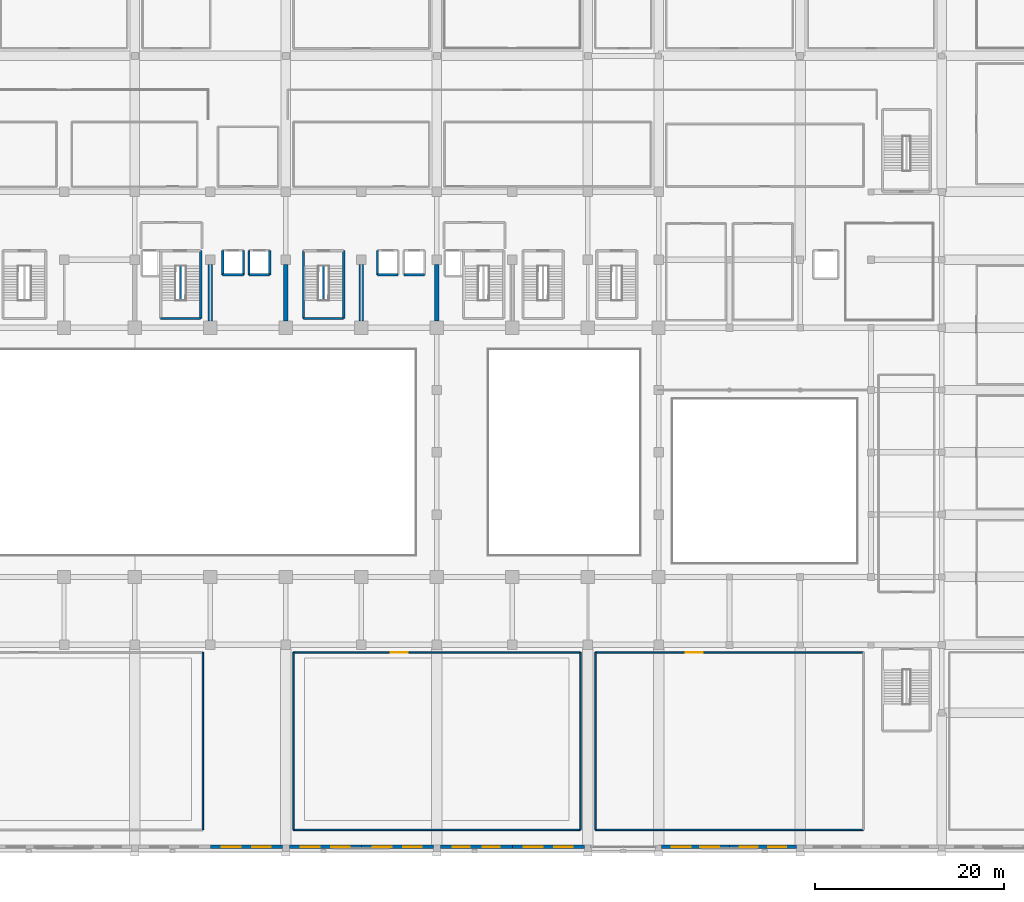
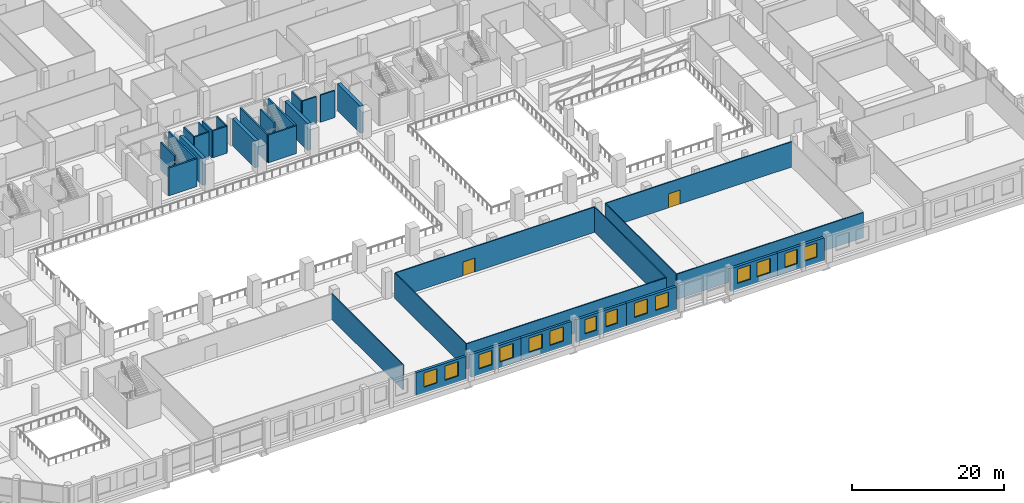
# One storey, part 42 of 64: 35 walls, 14 windows, 2 doors, 16 openings.
"""IFC4 building model written with IfcOpenShell, lengths in metres."""

from ifc_helpers import new_model, si_unit, direction, frame, frame_2d, origin, place, context, subcontext, project, spatial, rectangle, extrude, material, layer, layer_set, type_object, element, fill, save


model = new_model("IFC4")

# Units and contexts
model_context = context("Model", 3, precision=1e-05, world=origin(), true_north=direction((0.0, 1.0)))
body_context = subcontext(model_context, "Body", "Model", "MODEL_VIEW")
ifc_project = project(units=[si_unit("LENGTHUNIT", "METRE"), si_unit("AREAUNIT", "SQUARE_METRE"), si_unit("VOLUMEUNIT", "CUBIC_METRE"), si_unit("PLANEANGLEUNIT", "RADIAN"), si_unit("MASSUNIT", "GRAM", prefix="KILO")], contexts=[model_context])

# Site, building, storey
site_placement = place(None, origin())
site = spatial("IfcSite", under=ifc_project, at=site_placement, CompositionType="ELEMENT")
building_placement = place(site_placement, origin())
building = spatial("IfcBuilding", under=site, at=building_placement, Name="Akrevak Sports Hall", CompositionType="ELEMENT")
storey_placement = place(building_placement, frame((0.0, 0.0, 4.60009765625)))
storey = spatial("IfcBuildingStorey", under=building, at=storey_placement, Name="L01", CompositionType="ELEMENT", Elevation=4.60009765625)

# Wall, openings, windows
ifc_material_1 = material(Name="Limestone Ashlar", Category="stone")
ifc_layer_1 = layer(ifc_material_1, 0.080078125, Name="Limestone Ashlar")
ifc_material_2 = material(Name="Mineral Wool Thermal Insulation", Category="insulation")
ifc_layer_2 = layer(ifc_material_2, 0.10009765625, Name="Mineral Wool Thermal Insulation")
ifc_material_3 = material(Name="Concrete C40/50", Category="concrete")
ifc_layer_3 = layer(ifc_material_3, 0.199951171875, Name="Concrete C40/50")
ifc_layer_set_1 = layer_set([ifc_layer_1, ifc_layer_2, ifc_layer_3], Name="Limestone Ashlar / Mineral Wool Thermal Insulation / Concrete C40/50")
wall_type_1 = type_object("IfcWallType", Name="ARC-WL-EXT-380", PredefinedType="SOLIDWALL", material=ifc_layer_set_1)
wall_1_placement = place(storey_placement, frame((68.0, 0.18994140625, 0.0), z_axis=(0.0, 0.0, 1.0), x_axis=(1.0, 0.0, 0.0)))
wall_1 = element("IfcWall", 1, at=wall_1_placement, inside=storey, type_object=wall_type_1, Name="Exterior Limestone Wall L01-S08", PredefinedType="SOLIDWALL", context=body_context, shape_type="SweptSolid", body=[
    extrude(rectangle(XDim=7.625, YDim=0.3798828125, at=frame_2d((3.8125, 0.0))), origin(), (0.0, 0.0, 1.0), 3.64990234375),
])
opening_1_placement = place(wall_1_placement, frame((1.211181640625, 0.0, 0.919921875)))
opening_1 = element("IfcOpeningElement", 2, at=opening_1_placement, cuts=wall_1, Name="Opening WN-29", PredefinedType="OPENING", context=body_context, shape_type="SweptSolid", body=[
    extrude(rectangle(XDim=2.0, YDim=2.300048828125, at=frame_2d((1.0, 1.14990234375))), frame((0.0, 0.201904296875, 0.0), z_axis=(0.0, -1.0, 0.0), x_axis=(1.0, 0.0, 0.0)), (0.0, 0.0, 1.0), 0.40380859375),
])
opening_2_placement = place(wall_1_placement, frame((4.413818359375, 0.0, 0.919921875)))
opening_2 = element("IfcOpeningElement", 3, at=opening_2_placement, cuts=wall_1, Name="Opening WN-29", PredefinedType="OPENING", context=body_context, shape_type="SweptSolid", body=[
    extrude(rectangle(XDim=2.0, YDim=2.300048828125, at=frame_2d((1.0, 1.14990234375))), frame((0.0, 0.201904296875, 0.0), z_axis=(0.0, -1.0, 0.0), x_axis=(1.0, 0.0, 0.0)), (0.0, 0.0, 1.0), 0.40380859375),
])
ifc_material_4 = material(Name="Thermally Broken Bronze Frame & Double Low-E Glass", Category="glass")
window_type_1 = type_object("IfcWindowType", Name="ARC-WIN-SZ-2000x2300", PartitioningType="SINGLE_PANEL", PredefinedType="WINDOW", material=ifc_material_4)
window_1_placement = place(opening_1_placement, origin())
window_1 = element("IfcWindow", 4, at=window_1_placement, inside=storey, type_object=window_type_1, Name="Beaux-Arts Facade Window WIN-L01-S08-1", OverallHeight=2.300048828125, OverallWidth=2.0, PartitioningType="SINGLE_PANEL", PredefinedType="WINDOW", context=body_context, shape_type="SweptSolid", body=[
    extrude(rectangle(XDim=2.0, YDim=2.300048828125, at=frame_2d((1.0, 1.14990234375))), frame((0.0, 0.030029296875, 0.0), z_axis=(0.0, -1.0, 0.0), x_axis=(1.0, 0.0, 0.0)), (0.0, 0.0, 1.0), 0.06005859375),
])
fill(opening_1, window_1)
window_2_placement = place(opening_2_placement, origin())
window_2 = element("IfcWindow", 5, at=window_2_placement, inside=storey, type_object=window_type_1, Name="Beaux-Arts Facade Window WIN-L01-S08-2", OverallHeight=2.300048828125, OverallWidth=2.0, PartitioningType="SINGLE_PANEL", PredefinedType="WINDOW", context=body_context, shape_type="SweptSolid", body=[
    extrude(rectangle(XDim=2.0, YDim=2.300048828125, at=frame_2d((1.0, 1.14990234375))), frame((0.0, 0.030029296875, 0.0), z_axis=(0.0, -1.0, 0.0), x_axis=(1.0, 0.0, 0.0)), (0.0, 0.0, 1.0), 0.06005859375),
])
fill(opening_2, window_2)

wall_2_placement = place(storey_placement, frame((76.375, 0.18994140625, 0.0), z_axis=(0.0, 0.0, 1.0), x_axis=(1.0, 0.0, 0.0)))
wall_2 = element("IfcWall", 6, at=wall_2_placement, inside=storey, type_object=wall_type_1, Name="Exterior Limestone Wall L01-S09", PredefinedType="SOLIDWALL", context=body_context, shape_type="SweptSolid", body=[
    extrude(rectangle(XDim=7.625, YDim=0.3798828125, at=frame_2d((3.8125, 0.0))), origin(), (0.0, 0.0, 1.0), 3.64990234375),
])
opening_3_placement = place(wall_2_placement, frame((1.211181640625, 0.0, 0.919921875)))
opening_3 = element("IfcOpeningElement", 7, at=opening_3_placement, cuts=wall_2, Name="Opening WN-29", PredefinedType="OPENING", context=body_context, shape_type="SweptSolid", body=[
    extrude(rectangle(XDim=2.0, YDim=2.300048828125, at=frame_2d((1.0, 1.14990234375))), frame((0.0, 0.201904296875, 0.0), z_axis=(0.0, -1.0, 0.0), x_axis=(1.0, 0.0, 0.0)), (0.0, 0.0, 1.0), 0.40380859375),
])
opening_4_placement = place(wall_2_placement, frame((4.413818359375, 0.0, 0.919921875)))
opening_4 = element("IfcOpeningElement", 8, at=opening_4_placement, cuts=wall_2, Name="Opening WN-29", PredefinedType="OPENING", context=body_context, shape_type="SweptSolid", body=[
    extrude(rectangle(XDim=2.0, YDim=2.300048828125, at=frame_2d((1.0, 1.14990234375))), frame((0.0, 0.201904296875, 0.0), z_axis=(0.0, -1.0, 0.0), x_axis=(1.0, 0.0, 0.0)), (0.0, 0.0, 1.0), 0.40380859375),
])
window_3_placement = place(opening_3_placement, origin())
window_3 = element("IfcWindow", 9, at=window_3_placement, inside=storey, type_object=window_type_1, Name="Beaux-Arts Facade Window WIN-L01-S09-1", OverallHeight=2.300048828125, OverallWidth=2.0, PartitioningType="SINGLE_PANEL", PredefinedType="WINDOW", context=body_context, shape_type="SweptSolid", body=[
    extrude(rectangle(XDim=2.0, YDim=2.300048828125, at=frame_2d((1.0, 1.14990234375))), frame((0.0, 0.030029296875, 0.0), z_axis=(0.0, -1.0, 0.0), x_axis=(1.0, 0.0, 0.0)), (0.0, 0.0, 1.0), 0.06005859375),
])
fill(opening_3, window_3)
window_4_placement = place(opening_4_placement, origin())
window_4 = element("IfcWindow", 10, at=window_4_placement, inside=storey, type_object=window_type_1, Name="Beaux-Arts Facade Window WIN-L01-S09-2", OverallHeight=2.300048828125, OverallWidth=2.0, PartitioningType="SINGLE_PANEL", PredefinedType="WINDOW", context=body_context, shape_type="SweptSolid", body=[
    extrude(rectangle(XDim=2.0, YDim=2.300048828125, at=frame_2d((1.0, 1.14990234375))), frame((0.0, 0.030029296875, 0.0), z_axis=(0.0, -1.0, 0.0), x_axis=(1.0, 0.0, 0.0)), (0.0, 0.0, 1.0), 0.06005859375),
])
fill(opening_4, window_4)

wall_3_placement = place(storey_placement, frame((84.0, 0.18994140625, 0.0), z_axis=(0.0, 0.0, 1.0), x_axis=(1.0, 0.0, 0.0)))
wall_3 = element("IfcWall", 11, at=wall_3_placement, inside=storey, type_object=wall_type_1, Name="Exterior Limestone Wall L01-S10", PredefinedType="SOLIDWALL", context=body_context, shape_type="SweptSolid", body=[
    extrude(rectangle(XDim=7.625, YDim=0.3798828125, at=frame_2d((3.8125, 0.0))), origin(), (0.0, 0.0, 1.0), 3.64990234375),
])
opening_5_placement = place(wall_3_placement, frame((1.211181640625, 0.0, 0.919921875)))
opening_5 = element("IfcOpeningElement", 12, at=opening_5_placement, cuts=wall_3, Name="Opening WN-29", PredefinedType="OPENING", context=body_context, shape_type="SweptSolid", body=[
    extrude(rectangle(XDim=2.0, YDim=2.300048828125, at=frame_2d((1.0, 1.14990234375))), frame((0.0, 0.201904296875, 0.0), z_axis=(0.0, -1.0, 0.0), x_axis=(1.0, 0.0, 0.0)), (0.0, 0.0, 1.0), 0.40380859375),
])
opening_6_placement = place(wall_3_placement, frame((4.413818359375, 0.0, 0.919921875)))
opening_6 = element("IfcOpeningElement", 13, at=opening_6_placement, cuts=wall_3, Name="Opening WN-29", PredefinedType="OPENING", context=body_context, shape_type="SweptSolid", body=[
    extrude(rectangle(XDim=2.0, YDim=2.300048828125, at=frame_2d((1.0, 1.14990234375))), frame((0.0, 0.201904296875, 0.0), z_axis=(0.0, -1.0, 0.0), x_axis=(1.0, 0.0, 0.0)), (0.0, 0.0, 1.0), 0.40380859375),
])
window_5_placement = place(opening_5_placement, origin())
window_5 = element("IfcWindow", 14, at=window_5_placement, inside=storey, type_object=window_type_1, Name="Beaux-Arts Facade Window WIN-L01-S10-1", OverallHeight=2.300048828125, OverallWidth=2.0, PartitioningType="SINGLE_PANEL", PredefinedType="WINDOW", context=body_context, shape_type="SweptSolid", body=[
    extrude(rectangle(XDim=2.0, YDim=2.300048828125, at=frame_2d((1.0, 1.14990234375))), frame((0.0, 0.030029296875, 0.0), z_axis=(0.0, -1.0, 0.0), x_axis=(1.0, 0.0, 0.0)), (0.0, 0.0, 1.0), 0.06005859375),
])
fill(opening_5, window_5)
window_6_placement = place(opening_6_placement, origin())
window_6 = element("IfcWindow", 15, at=window_6_placement, inside=storey, type_object=window_type_1, Name="Beaux-Arts Facade Window WIN-L01-S10-2", OverallHeight=2.300048828125, OverallWidth=2.0, PartitioningType="SINGLE_PANEL", PredefinedType="WINDOW", context=body_context, shape_type="SweptSolid", body=[
    extrude(rectangle(XDim=2.0, YDim=2.300048828125, at=frame_2d((1.0, 1.14990234375))), frame((0.0, 0.030029296875, 0.0), z_axis=(0.0, -1.0, 0.0), x_axis=(1.0, 0.0, 0.0)), (0.0, 0.0, 1.0), 0.06005859375),
])
fill(opening_6, window_6)

wall_4_placement = place(storey_placement, frame((92.375, 0.18994140625, 0.0), z_axis=(0.0, 0.0, 1.0), x_axis=(1.0, 0.0, 0.0)))
wall_4 = element("IfcWall", 16, at=wall_4_placement, inside=storey, type_object=wall_type_1, Name="Exterior Limestone Wall L01-S11", PredefinedType="SOLIDWALL", context=body_context, shape_type="SweptSolid", body=[
    extrude(rectangle(XDim=7.625, YDim=0.3798828125, at=frame_2d((3.8125, 0.0))), origin(), (0.0, 0.0, 1.0), 3.64990234375),
])
opening_7_placement = place(wall_4_placement, frame((1.311279296875, 0.0, 0.919921875)))
opening_7 = element("IfcOpeningElement", 17, at=opening_7_placement, cuts=wall_4, Name="Opening WN-31", PredefinedType="OPENING", context=body_context, shape_type="SweptSolid", body=[
    extrude(rectangle(XDim=1.800048828125, YDim=2.300048828125, at=frame_2d((0.89990234375, 1.14990234375))), frame((0.0, 0.201904296875, 0.0), z_axis=(0.0, -1.0, 0.0), x_axis=(1.0, 0.0, 0.0)), (0.0, 0.0, 1.0), 0.40380859375),
])
opening_8_placement = place(wall_4_placement, frame((4.513671875, 0.0, 0.919921875)))
opening_8 = element("IfcOpeningElement", 18, at=opening_8_placement, cuts=wall_4, Name="Opening WN-31", PredefinedType="OPENING", context=body_context, shape_type="SweptSolid", body=[
    extrude(rectangle(XDim=1.800048828125, YDim=2.300048828125, at=frame_2d((0.89990234375, 1.14990234375))), frame((0.0, 0.201904296875, 0.0), z_axis=(0.0, -1.0, 0.0), x_axis=(1.0, 0.0, 0.0)), (0.0, 0.0, 1.0), 0.40380859375),
])
window_type_2 = type_object("IfcWindowType", Name="ARC-WIN-SZ-1800x2300", PartitioningType="SINGLE_PANEL", PredefinedType="WINDOW", material=ifc_material_4)
window_7_placement = place(opening_7_placement, origin())
window_7 = element("IfcWindow", 19, at=window_7_placement, inside=storey, type_object=window_type_2, Name="Beaux-Arts Facade Window WIN-L01-S11-1", OverallHeight=2.300048828125, OverallWidth=1.800048828125, PartitioningType="SINGLE_PANEL", PredefinedType="WINDOW", context=body_context, shape_type="SweptSolid", body=[
    extrude(rectangle(XDim=1.800048828125, YDim=2.300048828125, at=frame_2d((0.89990234375, 1.14990234375))), frame((0.0, 0.030029296875, 0.0), z_axis=(0.0, -1.0, 0.0), x_axis=(1.0, 0.0, 0.0)), (0.0, 0.0, 1.0), 0.06005859375),
])
fill(opening_7, window_7)
window_8_placement = place(opening_8_placement, origin())
window_8 = element("IfcWindow", 20, at=window_8_placement, inside=storey, type_object=window_type_2, Name="Beaux-Arts Facade Window WIN-L01-S11-2", OverallHeight=2.300048828125, OverallWidth=1.800048828125, PartitioningType="SINGLE_PANEL", PredefinedType="WINDOW", context=body_context, shape_type="SweptSolid", body=[
    extrude(rectangle(XDim=1.800048828125, YDim=2.300048828125, at=frame_2d((0.89990234375, 1.14990234375))), frame((0.0, 0.030029296875, 0.0), z_axis=(0.0, -1.0, 0.0), x_axis=(1.0, 0.0, 0.0)), (0.0, 0.0, 1.0), 0.06005859375),
])
fill(opening_8, window_8)

wall_5_placement = place(storey_placement, frame((100.0, 0.18994140625, 0.0), z_axis=(0.0, 0.0, 1.0), x_axis=(1.0, 0.0, 0.0)))
wall_5 = element("IfcWall", 21, at=wall_5_placement, inside=storey, type_object=wall_type_1, Name="Exterior Limestone Wall L01-S12", PredefinedType="SOLIDWALL", context=body_context, shape_type="SweptSolid", body=[
    extrude(rectangle(XDim=7.625, YDim=0.3798828125, at=frame_2d((3.8125, 0.0))), origin(), (0.0, 0.0, 1.0), 3.64990234375),
])
opening_9_placement = place(wall_5_placement, frame((1.211181640625, 0.0, 0.919921875)))
opening_9 = element("IfcOpeningElement", 22, at=opening_9_placement, cuts=wall_5, Name="Opening WN-29", PredefinedType="OPENING", context=body_context, shape_type="SweptSolid", body=[
    extrude(rectangle(XDim=2.0, YDim=2.300048828125, at=frame_2d((1.0, 1.14990234375))), frame((0.0, 0.201904296875, 0.0), z_axis=(0.0, -1.0, 0.0), x_axis=(1.0, 0.0, 0.0)), (0.0, 0.0, 1.0), 0.40380859375),
])
opening_10_placement = place(wall_5_placement, frame((4.413818359375, 0.0, 0.919921875)))
opening_10 = element("IfcOpeningElement", 23, at=opening_10_placement, cuts=wall_5, Name="Opening WN-29", PredefinedType="OPENING", context=body_context, shape_type="SweptSolid", body=[
    extrude(rectangle(XDim=2.0, YDim=2.300048828125, at=frame_2d((1.0, 1.14990234375))), frame((0.0, 0.201904296875, 0.0), z_axis=(0.0, -1.0, 0.0), x_axis=(1.0, 0.0, 0.0)), (0.0, 0.0, 1.0), 0.40380859375),
])
window_9_placement = place(opening_9_placement, origin())
window_9 = element("IfcWindow", 24, at=window_9_placement, inside=storey, type_object=window_type_1, Name="Beaux-Arts Facade Window WIN-L01-S12-1", OverallHeight=2.300048828125, OverallWidth=2.0, PartitioningType="SINGLE_PANEL", PredefinedType="WINDOW", context=body_context, shape_type="SweptSolid", body=[
    extrude(rectangle(XDim=2.0, YDim=2.300048828125, at=frame_2d((1.0, 1.14990234375))), frame((0.0, 0.030029296875, 0.0), z_axis=(0.0, -1.0, 0.0), x_axis=(1.0, 0.0, 0.0)), (0.0, 0.0, 1.0), 0.06005859375),
])
fill(opening_9, window_9)
window_10_placement = place(opening_10_placement, origin())
window_10 = element("IfcWindow", 25, at=window_10_placement, inside=storey, type_object=window_type_1, Name="Beaux-Arts Facade Window WIN-L01-S12-2", OverallHeight=2.300048828125, OverallWidth=2.0, PartitioningType="SINGLE_PANEL", PredefinedType="WINDOW", context=body_context, shape_type="SweptSolid", body=[
    extrude(rectangle(XDim=2.0, YDim=2.300048828125, at=frame_2d((1.0, 1.14990234375))), frame((0.0, 0.030029296875, 0.0), z_axis=(0.0, -1.0, 0.0), x_axis=(1.0, 0.0, 0.0)), (0.0, 0.0, 1.0), 0.06005859375),
])
fill(opening_10, window_10)

wall_6_placement = place(storey_placement, frame((115.824951171875, 0.18994140625, 0.0), z_axis=(0.0, 0.0, 1.0), x_axis=(1.0, 0.0, 0.0)))
wall_6 = element("IfcWall", 26, at=wall_6_placement, inside=storey, type_object=wall_type_1, Name="Exterior Limestone Wall L01-S14", PredefinedType="SOLIDWALL", context=body_context, shape_type="SweptSolid", body=[
    extrude(rectangle(XDim=7.175048828125, YDim=0.3798828125, at=frame_2d((3.58740234375, 0.0))), origin(), (0.0, 0.0, 1.0), 3.64990234375),
])
opening_11_placement = place(wall_6_placement, frame((1.080810546875, 0.0, 0.919921875)))
opening_11 = element("IfcOpeningElement", 27, at=opening_11_placement, cuts=wall_6, Name="Opening WN-29", PredefinedType="OPENING", context=body_context, shape_type="SweptSolid", body=[
    extrude(rectangle(XDim=2.0, YDim=2.300048828125, at=frame_2d((1.0, 1.14990234375))), frame((0.0, 0.201904296875, 0.0), z_axis=(0.0, -1.0, 0.0), x_axis=(1.0, 0.0, 0.0)), (0.0, 0.0, 1.0), 0.40380859375),
])
opening_12_placement = place(wall_6_placement, frame((4.09423828125, 0.0, 0.919921875)))
opening_12 = element("IfcOpeningElement", 28, at=opening_12_placement, cuts=wall_6, Name="Opening WN-29", PredefinedType="OPENING", context=body_context, shape_type="SweptSolid", body=[
    extrude(rectangle(XDim=2.0, YDim=2.300048828125, at=frame_2d((1.0, 1.14990234375))), frame((0.0, 0.201904296875, 0.0), z_axis=(0.0, -1.0, 0.0), x_axis=(1.0, 0.0, 0.0)), (0.0, 0.0, 1.0), 0.40380859375),
])
window_11_placement = place(opening_11_placement, origin())
window_11 = element("IfcWindow", 29, at=window_11_placement, inside=storey, type_object=window_type_1, Name="Beaux-Arts Facade Window WIN-L01-S14-1", OverallHeight=2.300048828125, OverallWidth=2.0, PartitioningType="SINGLE_PANEL", PredefinedType="WINDOW", context=body_context, shape_type="SweptSolid", body=[
    extrude(rectangle(XDim=2.0, YDim=2.300048828125, at=frame_2d((1.0, 1.14990234375))), frame((0.0, 0.030029296875, 0.0), z_axis=(0.0, -1.0, 0.0), x_axis=(1.0, 0.0, 0.0)), (0.0, 0.0, 1.0), 0.06005859375),
])
fill(opening_11, window_11)
window_12_placement = place(opening_12_placement, origin())
window_12 = element("IfcWindow", 30, at=window_12_placement, inside=storey, type_object=window_type_1, Name="Beaux-Arts Facade Window WIN-L01-S14-2", OverallHeight=2.300048828125, OverallWidth=2.0, PartitioningType="SINGLE_PANEL", PredefinedType="WINDOW", context=body_context, shape_type="SweptSolid", body=[
    extrude(rectangle(XDim=2.0, YDim=2.300048828125, at=frame_2d((1.0, 1.14990234375))), frame((0.0, 0.030029296875, 0.0), z_axis=(0.0, -1.0, 0.0), x_axis=(1.0, 0.0, 0.0)), (0.0, 0.0, 1.0), 0.06005859375),
])
fill(opening_12, window_12)

wall_7_placement = place(storey_placement, frame((123.0, 0.18994140625, 0.0), z_axis=(0.0, 0.0, 1.0), x_axis=(1.0, 0.0, 0.0)))
wall_7 = element("IfcWall", 31, at=wall_7_placement, inside=storey, type_object=wall_type_1, Name="Exterior Limestone Wall L01-S15", PredefinedType="SOLIDWALL", context=body_context, shape_type="SweptSolid", body=[
    extrude(rectangle(XDim=7.125, YDim=0.3798828125, at=frame_2d((3.5625, 0.0))), origin(), (0.0, 0.0, 1.0), 3.64990234375),
])
opening_13_placement = place(wall_7_placement, frame((1.1162109375, 0.0, 0.919921875)))
opening_13 = element("IfcOpeningElement", 32, at=opening_13_placement, cuts=wall_7, Name="Opening WN-30", PredefinedType="OPENING", context=body_context, shape_type="SweptSolid", body=[
    extrude(rectangle(XDim=1.89990234375, YDim=2.300048828125, at=frame_2d((0.949951171875, 1.14990234375))), frame((0.0, 0.201904296875, 0.0), z_axis=(0.0, -1.0, 0.0), x_axis=(1.0, 0.0, 0.0)), (0.0, 0.0, 1.0), 0.40380859375),
])
opening_14_placement = place(wall_7_placement, frame((4.10888671875, 0.0, 0.919921875)))
opening_14 = element("IfcOpeningElement", 33, at=opening_14_placement, cuts=wall_7, Name="Opening WN-30", PredefinedType="OPENING", context=body_context, shape_type="SweptSolid", body=[
    extrude(rectangle(XDim=1.89990234375, YDim=2.300048828125, at=frame_2d((0.949951171875, 1.14990234375))), frame((0.0, 0.201904296875, 0.0), z_axis=(0.0, -1.0, 0.0), x_axis=(1.0, 0.0, 0.0)), (0.0, 0.0, 1.0), 0.40380859375),
])
window_type_3 = type_object("IfcWindowType", Name="ARC-WIN-SZ-1900x2300", PartitioningType="SINGLE_PANEL", PredefinedType="WINDOW", material=ifc_material_4)
window_13_placement = place(opening_13_placement, origin())
window_13 = element("IfcWindow", 34, at=window_13_placement, inside=storey, type_object=window_type_3, Name="Beaux-Arts Facade Window WIN-L01-S15-1", OverallHeight=2.300048828125, OverallWidth=1.89990234375, PartitioningType="SINGLE_PANEL", PredefinedType="WINDOW", context=body_context, shape_type="SweptSolid", body=[
    extrude(rectangle(XDim=1.89990234375, YDim=2.300048828125, at=frame_2d((0.949951171875, 1.14990234375))), frame((0.0, 0.030029296875, 0.0), z_axis=(0.0, -1.0, 0.0), x_axis=(1.0, 0.0, 0.0)), (0.0, 0.0, 1.0), 0.06005859375),
])
fill(opening_13, window_13)
window_14_placement = place(opening_14_placement, origin())
window_14 = element("IfcWindow", 35, at=window_14_placement, inside=storey, type_object=window_type_3, Name="Beaux-Arts Facade Window WIN-L01-S15-2", OverallHeight=2.300048828125, OverallWidth=1.89990234375, PartitioningType="SINGLE_PANEL", PredefinedType="WINDOW", context=body_context, shape_type="SweptSolid", body=[
    extrude(rectangle(XDim=1.89990234375, YDim=2.300048828125, at=frame_2d((0.949951171875, 1.14990234375))), frame((0.0, 0.030029296875, 0.0), z_axis=(0.0, -1.0, 0.0), x_axis=(1.0, 0.0, 0.0)), (0.0, 0.0, 1.0), 0.06005859375),
])
fill(opening_14, window_14)

# Walls
ifc_material_5 = material(Name="Double Stud Acoustic Gypsum Partition", Category="gypsum")
ifc_layer_4 = layer(ifc_material_5, 0.14990234375, Name="Double Stud Acoustic Gypsum Partition")
ifc_layer_set_2 = layer_set([ifc_layer_4], Name="Double Stud Acoustic Gypsum Partition")
wall_type_2 = type_object("IfcWallType", Name="ARC-WL-PRT-150", PredefinedType="PARTITIONING", material=ifc_layer_set_2)
wall_8_placement = place(storey_placement, frame((67.199951171875, 2.0, 0.0), z_axis=(0.0, 0.0, 1.0), x_axis=(0.0, 1.0, 0.0)))
element("IfcWall", 36, at=wall_8_placement, inside=storey, type_object=wall_type_2, Name="Interior Partition Fitness Studio 1 - Strength & Free Weights (E)", PredefinedType="PARTITIONING", context=body_context, shape_type="SweptSolid", body=[
    extrude(rectangle(XDim=18.800048828125, YDim=0.14990234375, at=frame_2d((9.39990234375, 0.0))), origin(), (0.0, 0.0, 1.0), 4.079833984375),
])
wall_9_placement = place(storey_placement, frame((76.800048828125, 2.0, 0.0), z_axis=(0.0, 0.0, 1.0), x_axis=(1.0, 0.0, 0.0)))
element("IfcWall", 37, at=wall_9_placement, inside=storey, type_object=wall_type_2, Name="Interior Partition Fitness Studio 2 - Cardio & Rowing (S)", PredefinedType="PARTITIONING", context=body_context, shape_type="SweptSolid", body=[
    extrude(rectangle(XDim=30.39990234375, YDim=0.14990234375, at=frame_2d((15.199951171875, 0.0))), origin(), (0.0, 0.0, 1.0), 4.079833984375),
])

# Wall, opening, door
wall_10_placement = place(storey_placement, frame((76.800048828125, 20.800048828125, 0.0), z_axis=(0.0, 0.0, 1.0), x_axis=(1.0, 0.0, 0.0)))
wall_10 = element("IfcWall", 38, at=wall_10_placement, inside=storey, type_object=wall_type_2, Name="Interior Partition Fitness Studio 2 - Cardio & Rowing (N)", PredefinedType="PARTITIONING", context=body_context, shape_type="SweptSolid", body=[
    extrude(rectangle(XDim=30.39990234375, YDim=0.14990234375, at=frame_2d((15.199951171875, 0.0))), origin(), (0.0, 0.0, 1.0), 4.079833984375),
])
opening_15_placement = place(wall_10_placement, frame((10.300048828125, 0.0, 0.0)))
opening_15 = element("IfcOpeningElement", 39, at=opening_15_placement, cuts=wall_10, Name="Opening ID-02", PredefinedType="OPENING", context=body_context, shape_type="SweptSolid", body=[
    extrude(rectangle(XDim=1.800048828125, YDim=2.25, at=frame_2d((0.89990234375, 1.125))), frame((0.0, 0.0869140625, 0.0), z_axis=(0.0, -1.0, 0.0), x_axis=(1.0, 0.0, 0.0)), (0.0, 0.0, 1.0), 0.173828125),
])
ifc_material_6 = material(Name="Hardwood Oak & Safety Glass", Category="wood")
door_type = type_object("IfcDoorType", Name="ARC-DR-HALL-180x225", OperationType="DOUBLE_DOOR_SINGLE_SWING", PredefinedType="DOOR", material=ifc_material_6)
door_1_placement = place(opening_15_placement, origin())
door_1 = element("IfcDoor", 40, at=door_1_placement, inside=storey, type_object=door_type, Name="Door to Fitness Studio 2 - Cardio & Rowing", OperationType="DOUBLE_DOOR_SINGLE_SWING", OverallHeight=2.25, OverallWidth=1.800048828125, PredefinedType="DOOR", context=body_context, shape_type="SweptSolid", body=[
    extrude(rectangle(XDim=1.800048828125, YDim=2.25, at=frame_2d((0.89990234375, 1.125))), frame((0.0, 0.02490234375, 0.0), z_axis=(0.0, -1.0, 0.0), x_axis=(1.0, 0.0, 0.0)), (0.0, 0.0, 1.0), 0.050048828125),
])
fill(opening_15, door_1)

# Walls
for number, where, z_axis, x_axis, name in (
    (41, (76.800048828125, 2.0, 0.0), (0.0, 0.0, 1.0), (0.0, 1.0, 0.0), "Interior Partition Fitness Studio 2 - Cardio & Rowing (W)"),
    (42, (107.199951171875, 2.0, 0.0), (0.0, 0.0, 1.0), (0.0, 1.0, 0.0), "Interior Partition Fitness Studio 2 - Cardio & Rowing (E)"),
):
    element("IfcWall", number, at=place(storey_placement, frame(where, z_axis=z_axis, x_axis=x_axis)), inside=storey, type_object=wall_type_2, Name=name, PredefinedType="PARTITIONING", context=body_context, shape_type="SweptSolid", body=[
        extrude(rectangle(XDim=18.800048828125, YDim=0.14990234375, at=frame_2d((9.39990234375, 0.0))), origin(), (0.0, 0.0, 1.0), 4.079833984375),
    ])
wall_11_placement = place(storey_placement, frame((108.800048828125, 2.0, 0.0), z_axis=(0.0, 0.0, 1.0), x_axis=(1.0, 0.0, 0.0)))
element("IfcWall", 43, at=wall_11_placement, inside=storey, type_object=wall_type_2, Name="Interior Partition Fitness Studio 3 - Functional Training (S)", PredefinedType="PARTITIONING", context=body_context, shape_type="SweptSolid", body=[
    extrude(rectangle(XDim=28.39990234375, YDim=0.14990234375, at=frame_2d((14.199951171875, 0.0))), origin(), (0.0, 0.0, 1.0), 4.079833984375),
])

# Wall, opening, door
wall_12_placement = place(storey_placement, frame((108.800048828125, 20.800048828125, 0.0), z_axis=(0.0, 0.0, 1.0), x_axis=(1.0, 0.0, 0.0)))
wall_12 = element("IfcWall", 44, at=wall_12_placement, inside=storey, type_object=wall_type_2, Name="Interior Partition Fitness Studio 3 - Functional Training (N)", PredefinedType="PARTITIONING", context=body_context, shape_type="SweptSolid", body=[
    extrude(rectangle(XDim=28.39990234375, YDim=0.14990234375, at=frame_2d((14.199951171875, 0.0))), origin(), (0.0, 0.0, 1.0), 4.079833984375),
])
opening_16_placement = place(wall_12_placement, frame((9.550048828125, 0.0, 0.0)))
opening_16 = element("IfcOpeningElement", 45, at=opening_16_placement, cuts=wall_12, Name="Opening ID-02", PredefinedType="OPENING", context=body_context, shape_type="SweptSolid", body=[
    extrude(rectangle(XDim=1.800048828125, YDim=2.25, at=frame_2d((0.89990234375, 1.125))), frame((0.0, 0.0869140625, 0.0), z_axis=(0.0, -1.0, 0.0), x_axis=(1.0, 0.0, 0.0)), (0.0, 0.0, 1.0), 0.173828125),
])
door_2_placement = place(opening_16_placement, origin())
door_2 = element("IfcDoor", 46, at=door_2_placement, inside=storey, type_object=door_type, Name="Door to Fitness Studio 3 - Functional Training", OperationType="DOUBLE_DOOR_SINGLE_SWING", OverallHeight=2.25, OverallWidth=1.800048828125, PredefinedType="DOOR", context=body_context, shape_type="SweptSolid", body=[
    extrude(rectangle(XDim=1.800048828125, YDim=2.25, at=frame_2d((0.89990234375, 1.125))), frame((0.0, 0.02490234375, 0.0), z_axis=(0.0, -1.0, 0.0), x_axis=(1.0, 0.0, 0.0)), (0.0, 0.0, 1.0), 0.050048828125),
])
fill(opening_16, door_2)

# Walls
wall_13_placement = place(storey_placement, frame((108.800048828125, 2.0, 0.0), z_axis=(0.0, 0.0, 1.0), x_axis=(0.0, 1.0, 0.0)))
element("IfcWall", 47, at=wall_13_placement, inside=storey, type_object=wall_type_2, Name="Interior Partition Fitness Studio 3 - Functional Training (W)", PredefinedType="PARTITIONING", context=body_context, shape_type="SweptSolid", body=[
    extrude(rectangle(XDim=18.800048828125, YDim=0.14990234375, at=frame_2d((9.39990234375, 0.0))), origin(), (0.0, 0.0, 1.0), 4.079833984375),
])
ifc_layer_5 = layer(ifc_material_3, 0.219970703125, Name="Concrete C40/50")
ifc_layer_set_3 = layer_set([ifc_layer_5], Name="Concrete C40/50")
wall_type_3 = type_object("IfcWallType", Name="ARC-WL-PRT-220", PredefinedType="PARTITIONING", material=ifc_layer_set_3)
for number, where, z_axis, x_axis, name in (
    (48, (64.85009765625, 58.094970703125, 0.0), (0.0, 0.0, 1.0), (0.0, 1.0, 0.0), "Stair ST1 Central Spine Wall (L01)"),
    (49, (80.0, 58.094970703125, 0.0), (0.0, 0.0, 1.0), (0.0, 1.0, 0.0), "Stair ST3 Central Spine Wall (L01)"),
):
    element("IfcWall", number, at=place(storey_placement, frame(where, z_axis=z_axis, x_axis=x_axis)), inside=storey, type_object=wall_type_3, Name=name, PredefinedType="PARTITIONING", context=body_context, shape_type="SweptSolid", body=[
        extrude(rectangle(XDim=3.64013671875, YDim=0.219970703125, at=frame_2d((1.820068359375, 0.0))), origin(), (0.0, 0.0, 1.0), 4.47998046875),
    ])
ifc_material_7 = material(Name="Concrete C50/60", Category="concrete")
ifc_layer_6 = layer(ifc_material_7, 0.219970703125, Name="Concrete C50/60")
ifc_layer_set_4 = layer_set([ifc_layer_6], Name="Concrete C50/60")
wall_type_4 = type_object("IfcWallType", Name="ARC-WL-SHAFT-220", PredefinedType="SHEAR", material=ifc_layer_set_4)
wall_14_placement = place(storey_placement, frame((69.31005859375, 60.81005859375, 0.0), z_axis=(0.0, 0.0, 1.0), x_axis=(1.0, 0.0, 0.0)))
element("IfcWall", 50, at=wall_14_placement, inside=storey, type_object=wall_type_4, Name="Lift Shaft LF-P1 Wall S (L01)", PredefinedType="SHEAR", context=body_context, shape_type="SweptSolid", body=[
    extrude(rectangle(XDim=2.179931640625, YDim=0.219970703125, at=frame_2d((1.08984375, 0.0))), origin(), (0.0, 0.0, 1.0), 4.349853515625),
])
for number, where, z_axis, x_axis, name in (
    (51, (69.31005859375, 63.389892578125, 0.0), (0.0, 0.0, 1.0), (0.0, -1.0, 0.0), "Lift Shaft LF-P1 Wall W (L01)"),
    (52, (71.489990234375, 60.81005859375, 0.0), (0.0, 0.0, 1.0), (0.0, 1.0, 0.0), "Lift Shaft LF-P1 Wall E (L01)"),
):
    element("IfcWall", number, at=place(storey_placement, frame(where, z_axis=z_axis, x_axis=x_axis)), inside=storey, type_object=wall_type_4, Name=name, PredefinedType="SHEAR", context=body_context, shape_type="SweptSolid", body=[
        extrude(rectangle(XDim=2.579833984375, YDim=0.219970703125, at=frame_2d((1.2900390625, 0.0))), origin(), (0.0, 0.0, 1.0), 4.349853515625),
    ])
wall_15_placement = place(storey_placement, frame((72.110107421875, 60.81005859375, 0.0), z_axis=(0.0, 0.0, 1.0), x_axis=(1.0, 0.0, 0.0)))
element("IfcWall", 53, at=wall_15_placement, inside=storey, type_object=wall_type_4, Name="Lift Shaft LF-P2 Wall S (L01)", PredefinedType="SHEAR", context=body_context, shape_type="SweptSolid", body=[
    extrude(rectangle(XDim=2.179931640625, YDim=0.219970703125, at=frame_2d((1.08984375, 0.0))), origin(), (0.0, 0.0, 1.0), 4.349853515625),
])
for number, where, z_axis, x_axis, name in (
    (54, (72.110107421875, 63.389892578125, 0.0), (0.0, 0.0, 1.0), (0.0, -1.0, 0.0), "Lift Shaft LF-P2 Wall W (L01)"),
    (55, (74.2900390625, 60.81005859375, 0.0), (0.0, 0.0, 1.0), (0.0, 1.0, 0.0), "Lift Shaft LF-P2 Wall E (L01)"),
):
    element("IfcWall", number, at=place(storey_placement, frame(where, z_axis=z_axis, x_axis=x_axis)), inside=storey, type_object=wall_type_4, Name=name, PredefinedType="SHEAR", context=body_context, shape_type="SweptSolid", body=[
        extrude(rectangle(XDim=2.579833984375, YDim=0.219970703125, at=frame_2d((1.2900390625, 0.0))), origin(), (0.0, 0.0, 1.0), 4.349853515625),
    ])
wall_16_placement = place(storey_placement, frame((85.7099609375, 60.81005859375, 0.0), z_axis=(0.0, 0.0, 1.0), x_axis=(1.0, 0.0, 0.0)))
element("IfcWall", 56, at=wall_16_placement, inside=storey, type_object=wall_type_4, Name="Lift Shaft LF-P3 Wall S (L01)", PredefinedType="SHEAR", context=body_context, shape_type="SweptSolid", body=[
    extrude(rectangle(XDim=2.179931640625, YDim=0.219970703125, at=frame_2d((1.08984375, 0.0))), origin(), (0.0, 0.0, 1.0), 4.349853515625),
])
wall_17_placement = place(storey_placement, frame((85.7099609375, 63.389892578125, 0.0), z_axis=(0.0, 0.0, 1.0), x_axis=(0.0, -1.0, 0.0)))
element("IfcWall", 57, at=wall_17_placement, inside=storey, type_object=wall_type_4, Name="Lift Shaft LF-P3 Wall W (L01)", PredefinedType="SHEAR", context=body_context, shape_type="SweptSolid", body=[
    extrude(rectangle(XDim=2.579833984375, YDim=0.219970703125, at=frame_2d((1.2900390625, 0.0))), origin(), (0.0, 0.0, 1.0), 4.349853515625),
])
wall_18_placement = place(storey_placement, frame((88.510009765625, 60.81005859375, 0.0), z_axis=(0.0, 0.0, 1.0), x_axis=(1.0, 0.0, 0.0)))
element("IfcWall", 58, at=wall_18_placement, inside=storey, type_object=wall_type_4, Name="Lift Shaft LF-P4 Wall S (L01)", PredefinedType="SHEAR", context=body_context, shape_type="SweptSolid", body=[
    extrude(rectangle(XDim=2.179931640625, YDim=0.219970703125, at=frame_2d((1.08984375, 0.0))), origin(), (0.0, 0.0, 1.0), 4.349853515625),
])
ifc_layer_7 = layer(ifc_material_7, 0.5, Name="Concrete C50/60")
ifc_layer_set_5 = layer_set([ifc_layer_7], Name="Concrete C50/60")
wall_type_5 = type_object("IfcWallType", Name="STR-WL-CORE-500", PredefinedType="SHEAR", material=ifc_layer_set_5)
for number, where, z_axis, x_axis, name in (
    (59, (68.0, 55.89990234375, 0.0), (0.0, 0.0, 1.0), (0.0, 1.0, 0.0), "Reinforced Concrete Shear Wall SW-C1 (L01)"),
    (60, (76.0, 55.89990234375, 0.0), (0.0, 0.0, 1.0), (0.0, 1.0, 0.0), "Reinforced Concrete Shear Wall SW-W1 (L01)"),
    (61, (84.0, 55.89990234375, 0.0), (0.0, 0.0, 1.0), (0.0, 1.0, 0.0), "Reinforced Concrete Shear Wall SW-C2 (L01)"),
    (62, (92.0, 55.89990234375, 0.0), (0.0, 0.0, 1.0), (0.0, 1.0, 0.0), "Reinforced Concrete Shear Wall SW-E1 (L01)"),
):
    element("IfcWall", number, at=place(storey_placement, frame(where, z_axis=z_axis, x_axis=x_axis)), inside=storey, type_object=wall_type_5, Name=name, PredefinedType="SHEAR", context=body_context, shape_type="SweptSolid", body=[
        extrude(rectangle(XDim=6.0, YDim=0.5, at=frame_2d((3.0, 0.0))), origin(), (0.0, 0.0, 1.0), 4.349853515625),
    ])
ifc_layer_8 = layer(ifc_material_7, 0.25, Name="Concrete C50/60")
ifc_layer_set_6 = layer_set([ifc_layer_8], Name="Concrete C50/60")
wall_type_6 = type_object("IfcWallType", Name="STR-WL-STAIR-250", PredefinedType="SHEAR", material=ifc_layer_set_6)
wall_19_placement = place(storey_placement, frame((62.72509765625, 56.175048828125, 0.0), z_axis=(0.0, 0.0, 1.0), x_axis=(1.0, 0.0, 0.0)))
element("IfcWall", 63, at=wall_19_placement, inside=storey, type_object=wall_type_6, Name="Stair Core ST1 Shear Wall S (L01)", PredefinedType="SHEAR", context=body_context, shape_type="SweptSolid", body=[
    extrude(rectangle(XDim=4.25, YDim=0.25, at=frame_2d((2.125, 0.0))), origin(), (0.0, 0.0, 1.0), 4.47998046875),
])
wall_20_placement = place(storey_placement, frame((66.97509765625, 56.175048828125, 0.0), z_axis=(0.0, 0.0, 1.0), x_axis=(0.0, 1.0, 0.0)))
element("IfcWall", 64, at=wall_20_placement, inside=storey, type_object=wall_type_6, Name="Stair Core ST1 Shear Wall E (L01)", PredefinedType="SHEAR", context=body_context, shape_type="SweptSolid", body=[
    extrude(rectangle(XDim=7.199951171875, YDim=0.25, at=frame_2d((3.60009765625, 0.0))), origin(), (0.0, 0.0, 1.0), 4.47998046875),
])
wall_21_placement = place(storey_placement, frame((77.875, 56.175048828125, 0.0), z_axis=(0.0, 0.0, 1.0), x_axis=(1.0, 0.0, 0.0)))
element("IfcWall", 65, at=wall_21_placement, inside=storey, type_object=wall_type_6, Name="Stair Core ST3 Shear Wall S (L01)", PredefinedType="SHEAR", context=body_context, shape_type="SweptSolid", body=[
    extrude(rectangle(XDim=4.25, YDim=0.25, at=frame_2d((2.125, 0.0))), origin(), (0.0, 0.0, 1.0), 4.47998046875),
])
for number, where, z_axis, x_axis, name in (
    (66, (77.875, 63.375, 0.0), (0.0, 0.0, 1.0), (0.0, -1.0, 0.0), "Stair Core ST3 Shear Wall W (L01)"),
    (67, (82.125, 56.175048828125, 0.0), (0.0, 0.0, 1.0), (0.0, 1.0, 0.0), "Stair Core ST3 Shear Wall E (L01)"),
):
    element("IfcWall", number, at=place(storey_placement, frame(where, z_axis=z_axis, x_axis=x_axis)), inside=storey, type_object=wall_type_6, Name=name, PredefinedType="SHEAR", context=body_context, shape_type="SweptSolid", body=[
        extrude(rectangle(XDim=7.199951171875, YDim=0.25, at=frame_2d((3.60009765625, 0.0))), origin(), (0.0, 0.0, 1.0), 4.47998046875),
    ])

save(model, "model.ifc")
